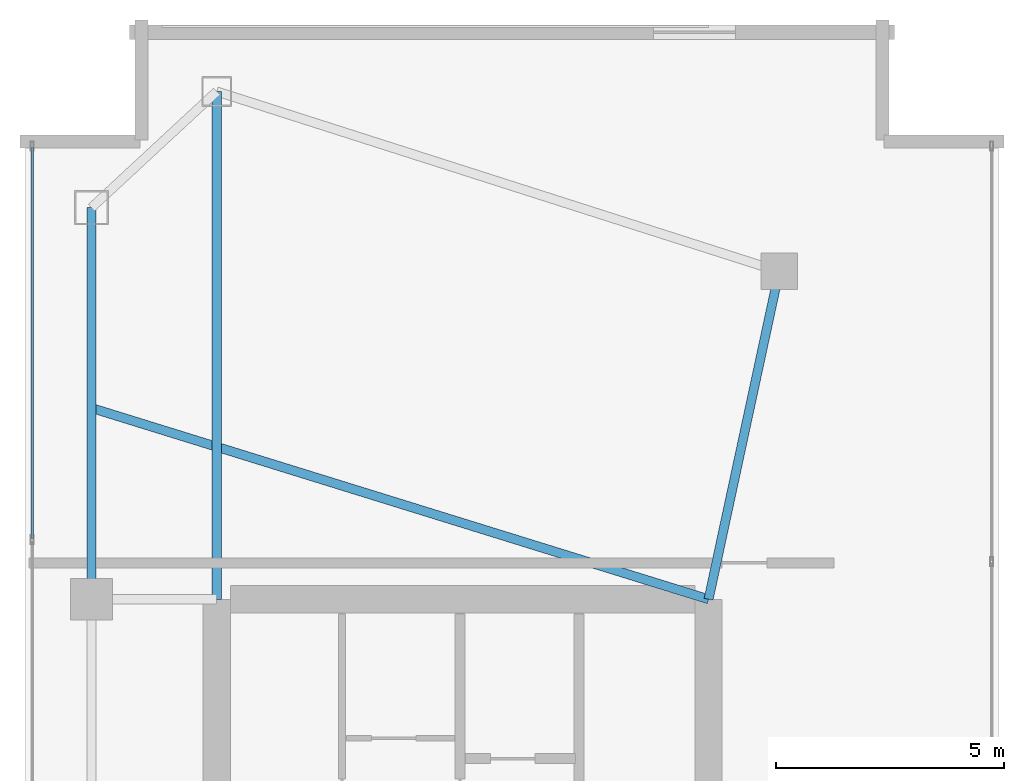
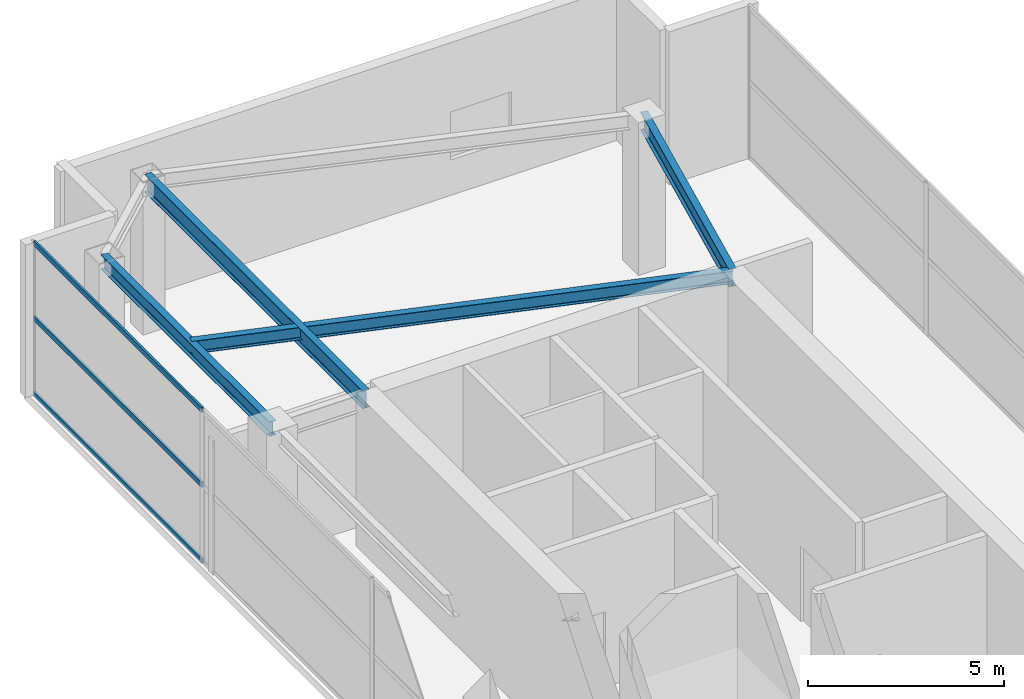
# One storey, part 13 of 20: 4 beams, 3 members, 1 element without a shape of its own.
"""IFC4 building model written with IfcOpenShell, lengths in metres."""

from ifc_helpers import new_model, si_unit, direction, frame, origin, origin_2d, place, context, subcontext, project, spatial, hollow_rectangle, i_section, extrude, material, layer, layer_set, material_profile, profile_set, type_object, element, aggregate, save


model = new_model("IFC4")

# Units and contexts
model_context = context("Model", 3, precision=1e-05, world=origin(), true_north=direction((0.0, 1.0)))
body_context = subcontext(model_context, "Body", "Model", "MODEL_VIEW")
ifc_project = project(units=[si_unit("LENGTHUNIT", "METRE"), si_unit("AREAUNIT", "SQUARE_METRE"), si_unit("VOLUMEUNIT", "CUBIC_METRE"), si_unit("PLANEANGLEUNIT", "RADIAN"), si_unit("MASSUNIT", "GRAM", prefix="KILO")], contexts=[model_context])

# Site, building, storey
site_placement = place(None, origin())
site = spatial("IfcSite", under=ifc_project, at=site_placement, CompositionType="ELEMENT")
building_placement = place(site_placement, origin())
building = spatial("IfcBuilding", under=site, at=building_placement, Name="Calvorn Quay Hotel", CompositionType="ELEMENT")
storey_placement = place(building_placement, frame((0.0, 0.0, 340.5)))
storey = spatial("IfcBuildingStorey", under=building, at=storey_placement, Name="L83", CompositionType="ELEMENT", Elevation=340.5)

# Beams
ifc_material_1 = material(Name="Steel Q355B", Category="steel")
ifc_material_profile_1 = material_profile(ifc_material_1, i_section(OverallWidth=0.199951171875, OverallDepth=0.550048828125, WebThickness=0.010009765625, FlangeThickness=0.01611328125, FilletRadius=0.01806640625, at=origin_2d()), Name="HN550x200x10x16")
ifc_profile_set_1 = profile_set([ifc_material_profile_1], Name="Steel Q355B")
beam_type_1 = type_object("IfcBeamType", Name="BM-GIRD-UPP", PredefinedType="BEAM", material=ifc_profile_set_1)
beam_1_placement = place(storey_placement, frame((4.199951171875, 49.550048828125, 4.465087890625), z_axis=(0.0, -1.0, 0.0), x_axis=(1.0, 0.0, 0.0)))
element("IfcBeam", 1, at=beam_1_placement, inside=storey, type_object=beam_type_1, Name="Beam BG-L83-W5", PredefinedType="BEAM", context=body_context, shape_type="SweptSolid", body=[
    extrude(i_section(OverallWidth=0.199951171875, OverallDepth=0.550048828125, WebThickness=0.010009765625, FlangeThickness=0.01611328125, FilletRadius=0.01806640625, at=origin_2d()), origin(), (0.0, 0.0, 1.0), 11.150146484375),
])
beam_2_placement = place(storey_placement, frame((16.550048828125, 45.60009765625, 4.465087890625), z_axis=(-0.210457140491, -0.97760308511, 0.0), x_axis=(0.97760308511, -0.210457140491, 0.0)))
element("IfcBeam", 2, at=beam_2_placement, inside=storey, type_object=beam_type_1, Name="Beam BG-L83-W6", PredefinedType="BEAM", context=body_context, shape_type="SweptSolid", body=[
    extrude(i_section(OverallWidth=0.199951171875, OverallDepth=0.550048828125, WebThickness=0.010009765625, FlangeThickness=0.01611328125, FilletRadius=0.01806640625, at=origin_2d()), origin(), (0.0, 0.0, 1.0), 7.365234375),
])
ifc_material_2 = material(Name="Steel Q355B", Category="steel")
ifc_material_profile_2 = material_profile(ifc_material_2, i_section(OverallWidth=0.199951171875, OverallDepth=0.39990234375, WebThickness=0.008056640625, FlangeThickness=0.012939453125, FilletRadius=0.01611328125, at=origin_2d()), Name="HN400x200x8x13")
ifc_profile_set_2 = profile_set([ifc_material_profile_2], Name="Steel Q355B")
beam_type_2 = type_object("IfcBeamType", Name="BM-JOIST-TYP", PredefinedType="JOIST", material=ifc_profile_set_2)
beam_3_placement = place(storey_placement, frame((1.449951171875, 42.60009765625, 4.5400390625), z_axis=(0.955163702122, -0.296078202759, 0.0), x_axis=(0.296078202759, 0.955163702122, 0.0)))
element("IfcBeam", 3, at=beam_3_placement, inside=storey, type_object=beam_type_2, Name="Beam BJ-L83-W2", PredefinedType="JOIST", context=body_context, shape_type="SweptSolid", body=[
    extrude(i_section(OverallWidth=0.199951171875, OverallDepth=0.39990234375, WebThickness=0.008056640625, FlangeThickness=0.012939453125, FilletRadius=0.01611328125, at=origin_2d()), origin(), (0.0, 0.0, 1.0), 14.18603515625),
])
ifc_material_3 = material(Name="Steel Q355B", Category="steel")
ifc_material_profile_3 = material_profile(ifc_material_3, i_section(OverallWidth=0.199951171875, OverallDepth=0.449951171875, WebThickness=0.009033203125, FlangeThickness=0.013916015625, FilletRadius=0.01611328125, at=origin_2d()), Name="HN450x200x9x14")
ifc_profile_set_3 = profile_set([ifc_material_profile_3], Name="Steel Q355B")
beam_type_3 = type_object("IfcBeamType", Name="BM-SPANDREL-Z3", PredefinedType="SPANDREL", material=ifc_profile_set_3)
beam_4_placement = place(storey_placement, frame((1.449951171875, 38.39990234375, 4.514892578125), z_axis=(0.0, 1.0, 0.0), x_axis=(-1.0, 0.0, 0.0)))
element("IfcBeam", 4, at=beam_4_placement, inside=storey, type_object=beam_type_3, Name="Beam BSP-L83-W4", PredefinedType="SPANDREL", context=body_context, shape_type="SweptSolid", body=[
    extrude(i_section(OverallWidth=0.199951171875, OverallDepth=0.449951171875, WebThickness=0.009033203125, FlangeThickness=0.013916015625, FilletRadius=0.01611328125, at=origin_2d()), origin(), (0.0, 0.0, 1.0), 8.60009765625),
])

# Curtain wall, members
ifc_material_4 = material(Name="Pale Anodised Aluminium and Laminated Glass", Category="aluminium")
ifc_layer = layer(ifc_material_4, 0.219970703125)
ifc_layer_set = layer_set([ifc_layer], Name="CW-SYS-CRN")
curtain_wall_type = type_object("IfcCurtainWallType", Name="CW-SYS-CRN", PredefinedType="NOTDEFINED", material=ifc_layer_set)
curtain_wall_placement = place(storey_placement, origin())
curtain_wall = element("IfcCurtainWall", 5, at=curtain_wall_placement, inside=storey, type_object=curtain_wall_type, Name="Crown Curtain Wall L83-C3", PredefinedType="NOTDEFINED")
ifc_material_5 = material(Name="Pale Anodised Aluminium 6063-T6", Category="aluminium")
ifc_material_profile_4 = material_profile(ifc_material_5, hollow_rectangle(XDim=0.06201171875, YDim=0.159912109375, WallThickness=0.00341796875, at=origin_2d()), Name="ALU-T160x62x3.5")
ifc_profile_set_4 = profile_set([ifc_material_profile_4], Name="Pale Anodised Aluminium 6063-T6")
member_type = type_object("IfcMemberType", Name="CW-SYS-CRN-TRN", PredefinedType="USERDEFINED", material=ifc_profile_set_4)
member_1_placement = place(storey_placement, frame((0.14990234375, 48.320068359375, 0.030029296875), z_axis=(0.0, -1.0, 0.0), x_axis=(1.0, 0.0, 0.0)))
member_1 = element("IfcMember", 6, at=member_1_placement, type_object=member_type, Name="CW-L83-C3 transom 1.1", ObjectType="TRANSOM", PredefinedType="USERDEFINED", context=body_context, shape_type="SweptSolid", body=[
    extrude(hollow_rectangle(XDim=0.06201171875, YDim=0.159912109375, WallThickness=0.00341796875, at=origin_2d()), origin(), (0.0, 0.0, 1.0), 8.58203125),
])
member_2_placement = place(storey_placement, frame((0.14990234375, 48.320068359375, 2.39990234375), z_axis=(0.0, -1.0, 0.0), x_axis=(1.0, 0.0, 0.0)))
member_2 = element("IfcMember", 7, at=member_2_placement, type_object=member_type, Name="CW-L83-C3 transom 1.2", ObjectType="TRANSOM", PredefinedType="USERDEFINED", context=body_context, shape_type="SweptSolid", body=[
    extrude(hollow_rectangle(XDim=0.06201171875, YDim=0.159912109375, WallThickness=0.00341796875, at=origin_2d()), origin(), (0.0, 0.0, 1.0), 8.58203125),
])
member_3_placement = place(storey_placement, frame((0.14990234375, 48.320068359375, 4.72998046875), z_axis=(0.0, -1.0, 0.0), x_axis=(1.0, 0.0, 0.0)))
member_3 = element("IfcMember", 8, at=member_3_placement, type_object=member_type, Name="CW-L83-C3 transom 1.3", ObjectType="TRANSOM", PredefinedType="USERDEFINED", context=body_context, shape_type="SweptSolid", body=[
    extrude(hollow_rectangle(XDim=0.06201171875, YDim=0.159912109375, WallThickness=0.00341796875, at=origin_2d()), origin(), (0.0, 0.0, 1.0), 8.58203125),
])
aggregate(curtain_wall, [member_1, member_2, member_3])

save(model, "model.ifc")
